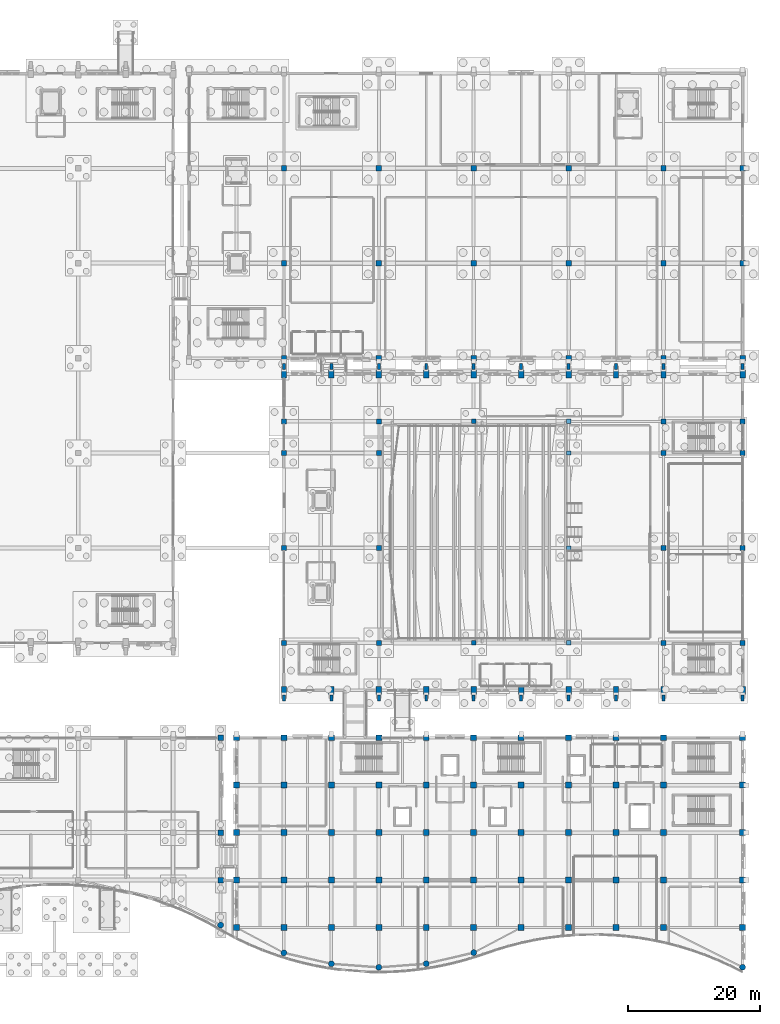
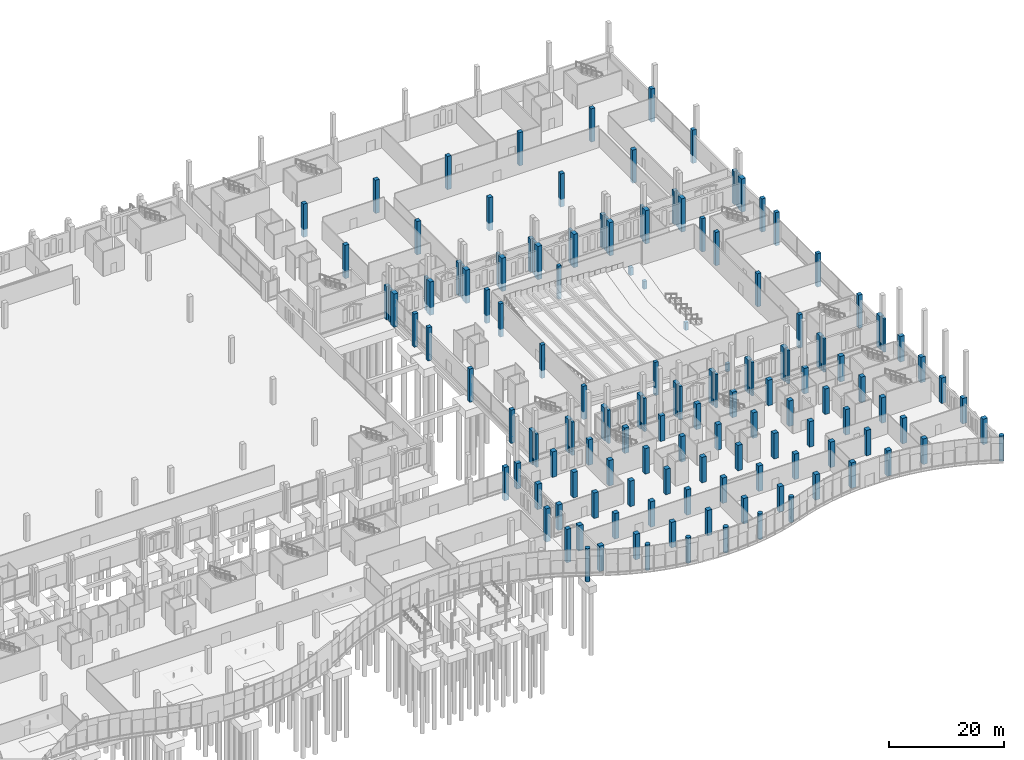
# One storey, part 18 of 192: 145 columns.
"""IFC4 building model written with IfcOpenShell, lengths in metres."""

from ifc_helpers import new_model, si_unit, direction, frame, origin, origin_2d, place, context, subcontext, project, spatial, rectangle, circle, extrude, material, material_profile, profile_set, type_object, element, save


model = new_model("IFC4")

# Units and contexts
model_context = context("Model", 3, precision=1e-05, world=origin(), true_north=direction((0.0, 1.0)))
body_context = subcontext(model_context, "Body", "Model", "MODEL_VIEW")
ifc_project = project(units=[si_unit("LENGTHUNIT", "METRE"), si_unit("AREAUNIT", "SQUARE_METRE"), si_unit("VOLUMEUNIT", "CUBIC_METRE"), si_unit("PLANEANGLEUNIT", "RADIAN"), si_unit("MASSUNIT", "GRAM", prefix="KILO")], contexts=[model_context])

# Site, building, storey
site_placement = place(None, origin())
site = spatial("IfcSite", under=ifc_project, at=site_placement, CompositionType="ELEMENT")
building_placement = place(site_placement, origin())
building = spatial("IfcBuilding", under=site, at=building_placement, Name="Cendralis Lancet Convention Centre", CompositionType="ELEMENT")
storey_placement = place(building_placement, origin())
storey = spatial("IfcBuildingStorey", under=building, at=storey_placement, Name="L00", CompositionType="ELEMENT", Elevation=0.0)

# Columns
ifc_material = material(Name="Concrete G40 (C40/50)", Category="concrete")
ifc_material_profile_1 = material_profile(ifc_material, rectangle(XDim=0.89990234375, YDim=0.89990234375, at=origin_2d()), Name="RC 900x900")
ifc_profile_set_1 = profile_set([ifc_material_profile_1], Name="Concrete G40 (C40/50)")
column_type_1 = type_object("IfcColumnType", Name="STR-COL-C03", PredefinedType="COLUMN", material=ifc_profile_set_1)
for number, where, z_axis, x_axis, name in (
    (1, (132.0, 7.199951171875, 0.0), (0.0, 0.0, 1.0), (1.0, 0.0, 0.0), "L00 Column C03 at 132.0,7.2"),
    (2, (132.0, 14.39990234375, 0.0), (0.0, 0.0, 1.0), (1.0, 0.0, 0.0), "L00 Column C03 at 132.0,14.4"),
    (3, (132.0, 21.60009765625, 0.0), (0.0, 0.0, 1.0), (1.0, 0.0, 0.0), "L00 Column C03 at 132.0,21.6"),
    (4, (132.0, 28.800048828125, 0.0), (0.0, 0.0, 1.0), (1.0, 0.0, 0.0), "L00 Column C03 at 132.0,28.8"),
    (5, (132.0, 36.0, 0.0), (0.0, 0.0, 1.0), (1.0, 0.0, 0.0), "L00 Column C03 at 132.0,36.0"),
    (6, (139.199951171875, 36.0, 0.0), (0.0, 0.0, 1.0), (1.0, 0.0, 0.0), "L00 Column C03 at 139.2,36.0"),
    (7, (146.39990234375, 36.0, 0.0), (0.0, 0.0, 1.0), (1.0, 0.0, 0.0), "L00 Column C03 at 146.4,36.0"),
    (8, (153.60009765625, 36.0, 0.0), (0.0, 0.0, 1.0), (1.0, 0.0, 0.0), "L00 Column C03 at 153.6,36.0"),
    (9, (160.800048828125, 36.0, 0.0), (0.0, 0.0, 1.0), (1.0, 0.0, 0.0), "L00 Column C03 at 160.8,36.0"),
    (10, (168.0, 36.0, 0.0), (0.0, 0.0, 1.0), (1.0, 0.0, 0.0), "L00 Column C03 at 168.0,36.0"),
    (11, (175.199951171875, 36.0, 0.0), (0.0, 0.0, 1.0), (1.0, 0.0, 0.0), "L00 Column C03 at 175.2,36.0"),
    (12, (182.39990234375, 36.0, 0.0), (0.0, 0.0, 1.0), (1.0, 0.0, 0.0), "L00 Column C03 at 182.4,36.0"),
    (13, (189.60009765625, 36.0, 0.0), (0.0, 0.0, 1.0), (1.0, 0.0, 0.0), "L00 Column C03 at 189.6,36.0"),
    (14, (196.800048828125, 36.0, 0.0), (0.0, 0.0, 1.0), (1.0, 0.0, 0.0), "L00 Column C03 at 196.8,36.0"),
    (15, (208.800048828125, 7.199951171875, 0.0), (0.0, 0.0, 1.0), (1.0, 0.0, 0.0), "L00 Column C03 at 208.8,7.2"),
    (16, (208.800048828125, 14.39990234375, 0.0), (0.0, 0.0, 1.0), (1.0, 0.0, 0.0), "L00 Column C03 at 208.8,14.4"),
    (17, (208.800048828125, 21.60009765625, 0.0), (0.0, 0.0, 1.0), (1.0, 0.0, 0.0), "L00 Column C03 at 208.8,21.6"),
    (18, (208.800048828125, 28.800048828125, 0.0), (0.0, 0.0, 1.0), (1.0, 0.0, 0.0), "L00 Column C03 at 208.8,28.8"),
    (19, (208.800048828125, 36.0, 0.0), (0.0, 0.0, 1.0), (1.0, 0.0, 0.0), "L00 Column C03 at 208.8,36.0"),
):
    element("IfcColumn", number, at=place(storey_placement, frame(where, z_axis=z_axis, x_axis=x_axis)), inside=storey, type_object=column_type_1, Name=name, PredefinedType="COLUMN", context=body_context, shape_type="SweptSolid", body=[
        extrude(rectangle(XDim=0.89990234375, YDim=0.89990234375, at=origin_2d()), origin(), (0.0, 0.0, 1.0), 5.39990234375),
    ])
ifc_material_profile_2 = material_profile(ifc_material, rectangle(XDim=0.89990234375, YDim=0.89990234375, at=origin_2d()), Name="RC 900x900")
ifc_profile_set_2 = profile_set([ifc_material_profile_2], Name="Concrete G40 (C40/50)")
column_type_2 = type_object("IfcColumnType", Name="STR-COL-C03-INT", PredefinedType="COLUMN", material=ifc_profile_set_2)
for number, where, z_axis, x_axis, name in (
    (20, (139.199951171875, 7.199951171875, 0.0), (0.0, 0.0, 1.0), (1.0, 0.0, 0.0), "L00 Column C03 at 139.2,7.2"),
    (21, (139.199951171875, 14.39990234375, 0.0), (0.0, 0.0, 1.0), (1.0, 0.0, 0.0), "L00 Column C03 at 139.2,14.4"),
    (22, (139.199951171875, 21.60009765625, 0.0), (0.0, 0.0, 1.0), (1.0, 0.0, 0.0), "L00 Column C03 at 139.2,21.6"),
    (23, (139.199951171875, 28.800048828125, 0.0), (0.0, 0.0, 1.0), (1.0, 0.0, 0.0), "L00 Column C03 at 139.2,28.8"),
    (24, (146.39990234375, 7.199951171875, 0.0), (0.0, 0.0, 1.0), (1.0, 0.0, 0.0), "L00 Column C03 at 146.4,7.2"),
    (25, (146.39990234375, 14.39990234375, 0.0), (0.0, 0.0, 1.0), (1.0, 0.0, 0.0), "L00 Column C03 at 146.4,14.4"),
    (26, (146.39990234375, 21.60009765625, 0.0), (0.0, 0.0, 1.0), (1.0, 0.0, 0.0), "L00 Column C03 at 146.4,21.6"),
    (27, (146.39990234375, 28.800048828125, 0.0), (0.0, 0.0, 1.0), (1.0, 0.0, 0.0), "L00 Column C03 at 146.4,28.8"),
    (28, (153.60009765625, 7.199951171875, 0.0), (0.0, 0.0, 1.0), (1.0, 0.0, 0.0), "L00 Column C03 at 153.6,7.2"),
    (29, (153.60009765625, 14.39990234375, 0.0), (0.0, 0.0, 1.0), (1.0, 0.0, 0.0), "L00 Column C03 at 153.6,14.4"),
    (30, (153.60009765625, 21.60009765625, 0.0), (0.0, 0.0, 1.0), (1.0, 0.0, 0.0), "L00 Column C03 at 153.6,21.6"),
    (31, (153.60009765625, 28.800048828125, 0.0), (0.0, 0.0, 1.0), (1.0, 0.0, 0.0), "L00 Column C03 at 153.6,28.8"),
    (32, (160.800048828125, 7.199951171875, 0.0), (0.0, 0.0, 1.0), (1.0, 0.0, 0.0), "L00 Column C03 at 160.8,7.2"),
    (33, (160.800048828125, 14.39990234375, 0.0), (0.0, 0.0, 1.0), (1.0, 0.0, 0.0), "L00 Column C03 at 160.8,14.4"),
    (34, (160.800048828125, 21.60009765625, 0.0), (0.0, 0.0, 1.0), (1.0, 0.0, 0.0), "L00 Column C03 at 160.8,21.6"),
    (35, (160.800048828125, 28.800048828125, 0.0), (0.0, 0.0, 1.0), (1.0, 0.0, 0.0), "L00 Column C03 at 160.8,28.8"),
    (36, (168.0, 7.199951171875, 0.0), (0.0, 0.0, 1.0), (1.0, 0.0, 0.0), "L00 Column C03 at 168.0,7.2"),
    (37, (168.0, 14.39990234375, 0.0), (0.0, 0.0, 1.0), (1.0, 0.0, 0.0), "L00 Column C03 at 168.0,14.4"),
    (38, (168.0, 21.60009765625, 0.0), (0.0, 0.0, 1.0), (1.0, 0.0, 0.0), "L00 Column C03 at 168.0,21.6"),
    (39, (168.0, 28.800048828125, 0.0), (0.0, 0.0, 1.0), (1.0, 0.0, 0.0), "L00 Column C03 at 168.0,28.8"),
    (40, (175.199951171875, 7.199951171875, 0.0), (0.0, 0.0, 1.0), (1.0, 0.0, 0.0), "L00 Column C03 at 175.2,7.2"),
    (41, (175.199951171875, 14.39990234375, 0.0), (0.0, 0.0, 1.0), (1.0, 0.0, 0.0), "L00 Column C03 at 175.2,14.4"),
    (42, (175.199951171875, 21.60009765625, 0.0), (0.0, 0.0, 1.0), (1.0, 0.0, 0.0), "L00 Column C03 at 175.2,21.6"),
    (43, (175.199951171875, 28.800048828125, 0.0), (0.0, 0.0, 1.0), (1.0, 0.0, 0.0), "L00 Column C03 at 175.2,28.8"),
    (44, (182.39990234375, 7.199951171875, 0.0), (0.0, 0.0, 1.0), (1.0, 0.0, 0.0), "L00 Column C03 at 182.4,7.2"),
    (45, (182.39990234375, 14.39990234375, 0.0), (0.0, 0.0, 1.0), (1.0, 0.0, 0.0), "L00 Column C03 at 182.4,14.4"),
    (46, (182.39990234375, 21.60009765625, 0.0), (0.0, 0.0, 1.0), (1.0, 0.0, 0.0), "L00 Column C03 at 182.4,21.6"),
    (47, (182.39990234375, 28.800048828125, 0.0), (0.0, 0.0, 1.0), (1.0, 0.0, 0.0), "L00 Column C03 at 182.4,28.8"),
    (48, (189.60009765625, 7.199951171875, 0.0), (0.0, 0.0, 1.0), (1.0, 0.0, 0.0), "L00 Column C03 at 189.6,7.2"),
    (49, (189.60009765625, 14.39990234375, 0.0), (0.0, 0.0, 1.0), (1.0, 0.0, 0.0), "L00 Column C03 at 189.6,14.4"),
    (50, (189.60009765625, 21.60009765625, 0.0), (0.0, 0.0, 1.0), (1.0, 0.0, 0.0), "L00 Column C03 at 189.6,21.6"),
    (51, (189.60009765625, 28.800048828125, 0.0), (0.0, 0.0, 1.0), (1.0, 0.0, 0.0), "L00 Column C03 at 189.6,28.8"),
    (52, (196.800048828125, 7.199951171875, 0.0), (0.0, 0.0, 1.0), (1.0, 0.0, 0.0), "L00 Column C03 at 196.8,7.2"),
    (53, (196.800048828125, 14.39990234375, 0.0), (0.0, 0.0, 1.0), (1.0, 0.0, 0.0), "L00 Column C03 at 196.8,14.4"),
    (54, (196.800048828125, 21.60009765625, 0.0), (0.0, 0.0, 1.0), (1.0, 0.0, 0.0), "L00 Column C03 at 196.8,21.6"),
    (55, (196.800048828125, 28.800048828125, 0.0), (0.0, 0.0, 1.0), (1.0, 0.0, 0.0), "L00 Column C03 at 196.8,28.8"),
):
    element("IfcColumn", number, at=place(storey_placement, frame(where, z_axis=z_axis, x_axis=x_axis)), inside=storey, type_object=column_type_2, Name=name, PredefinedType="COLUMN", context=body_context, shape_type="SweptSolid", body=[
        extrude(rectangle(XDim=0.89990234375, YDim=0.89990234375, at=origin_2d()), origin(), (0.0, 0.0, 1.0), 5.39990234375),
    ])
ifc_material_profile_3 = material_profile(ifc_material, rectangle(XDim=0.85009765625, YDim=0.85009765625, at=origin_2d()), Name="RC 850x850")
ifc_profile_set_3 = profile_set([ifc_material_profile_3], Name="Concrete G40 (C40/50)")
column_type_3 = type_object("IfcColumnType", Name="STR-COL-C04", PredefinedType="COLUMN", material=ifc_profile_set_3)
for number, where, z_axis, x_axis, name in (
    (56, (129.60009765625, 14.39990234375, -1.64990234375), (0.0, 0.0, 1.0), (1.0, 0.0, 0.0), "L00 Column C04 at 129.6,14.4"),
    (57, (129.60009765625, 21.60009765625, -1.64990234375), (0.0, 0.0, 1.0), (1.0, 0.0, 0.0), "L00 Column C04 at 129.6,21.6"),
    (58, (129.60009765625, 36.0, -1.64990234375), (0.0, 0.0, 1.0), (1.0, 0.0, 0.0), "L00 Column C04 at 129.6,36.0"),
):
    element("IfcColumn", number, at=place(storey_placement, frame(where, z_axis=z_axis, x_axis=x_axis)), inside=storey, type_object=column_type_3, Name=name, PredefinedType="COLUMN", context=body_context, shape_type="SweptSolid", body=[
        extrude(rectangle(XDim=0.85009765625, YDim=0.85009765625, at=origin_2d()), origin(), (0.0, 0.0, 1.0), 7.0498046875),
    ])
ifc_material_profile_4 = material_profile(ifc_material, rectangle(XDim=0.800048828125, YDim=0.800048828125, at=origin_2d()), Name="RC 800x800")
ifc_profile_set_4 = profile_set([ifc_material_profile_4], Name="Concrete G40 (C40/50)")
column_type_4 = type_object("IfcColumnType", Name="STR-COL-C05", PredefinedType="COLUMN", material=ifc_profile_set_4)
for number, where, z_axis, x_axis, name in (
    (59, (139.199951171875, 93.60009765625, -1.64990234375), (0.0, 0.0, 1.0), (1.0, 0.0, 0.0), "L00 Column C05 at 139.2,93.6"),
    (60, (153.60009765625, 93.60009765625, -1.64990234375), (0.0, 0.0, 1.0), (1.0, 0.0, 0.0), "L00 Column C05 at 153.6,93.6"),
    (61, (168.0, 93.60009765625, -1.64990234375), (0.0, 0.0, 1.0), (1.0, 0.0, 0.0), "L00 Column C05 at 168.0,93.6"),
    (62, (182.39990234375, 93.60009765625, -1.64990234375), (0.0, 0.0, 1.0), (1.0, 0.0, 0.0), "L00 Column C05 at 182.4,93.6"),
    (63, (196.800048828125, 93.60009765625, -1.64990234375), (0.0, 0.0, 1.0), (1.0, 0.0, 0.0), "L00 Column C05 at 196.8,93.6"),
    (64, (208.800048828125, 93.60009765625, -1.64990234375), (0.0, 0.0, 1.0), (1.0, 0.0, 0.0), "L00 Column C05 at 208.8,93.6"),
    (65, (208.800048828125, 108.0, -1.64990234375), (0.0, 0.0, 1.0), (1.0, 0.0, 0.0), "L00 Column C05 at 208.8,108.0"),
    (66, (208.800048828125, 122.39990234375, -1.64990234375), (0.0, 0.0, 1.0), (1.0, 0.0, 0.0), "L00 Column C05 at 208.8,122.4"),
):
    element("IfcColumn", number, at=place(storey_placement, frame(where, z_axis=z_axis, x_axis=x_axis)), inside=storey, type_object=column_type_4, Name=name, PredefinedType="COLUMN", context=body_context, shape_type="SweptSolid", body=[
        extrude(rectangle(XDim=0.800048828125, YDim=0.800048828125, at=origin_2d()), origin(), (0.0, 0.0, 1.0), 7.0498046875),
    ])
ifc_material_profile_5 = material_profile(ifc_material, rectangle(XDim=0.800048828125, YDim=0.800048828125, at=origin_2d()), Name="RC 800x800")
ifc_profile_set_5 = profile_set([ifc_material_profile_5], Name="Concrete G40 (C40/50)")
column_type_5 = type_object("IfcColumnType", Name="STR-COL-C05-INT", PredefinedType="COLUMN", material=ifc_profile_set_5)
for number, where, z_axis, x_axis, name in (
    (67, (139.199951171875, 108.0, -1.64990234375), (0.0, 0.0, 1.0), (1.0, 0.0, 0.0), "L00 Column C05 at 139.2,108.0"),
    (68, (139.199951171875, 122.39990234375, -1.64990234375), (0.0, 0.0, 1.0), (1.0, 0.0, 0.0), "L00 Column C05 at 139.2,122.4"),
    (69, (153.60009765625, 108.0, -1.64990234375), (0.0, 0.0, 1.0), (1.0, 0.0, 0.0), "L00 Column C05 at 153.6,108.0"),
    (70, (153.60009765625, 122.39990234375, -1.64990234375), (0.0, 0.0, 1.0), (1.0, 0.0, 0.0), "L00 Column C05 at 153.6,122.4"),
    (71, (168.0, 108.0, -1.64990234375), (0.0, 0.0, 1.0), (1.0, 0.0, 0.0), "L00 Column C05 at 168.0,108.0"),
    (72, (168.0, 122.39990234375, -1.64990234375), (0.0, 0.0, 1.0), (1.0, 0.0, 0.0), "L00 Column C05 at 168.0,122.4"),
    (73, (182.39990234375, 108.0, -1.64990234375), (0.0, 0.0, 1.0), (1.0, 0.0, 0.0), "L00 Column C05 at 182.4,108.0"),
    (74, (182.39990234375, 122.39990234375, -1.64990234375), (0.0, 0.0, 1.0), (1.0, 0.0, 0.0), "L00 Column C05 at 182.4,122.4"),
    (75, (196.800048828125, 108.0, -1.64990234375), (0.0, 0.0, 1.0), (1.0, 0.0, 0.0), "L00 Column C05 at 196.8,108.0"),
    (76, (196.800048828125, 122.39990234375, -1.64990234375), (0.0, 0.0, 1.0), (1.0, 0.0, 0.0), "L00 Column C05 at 196.8,122.4"),
):
    element("IfcColumn", number, at=place(storey_placement, frame(where, z_axis=z_axis, x_axis=x_axis)), inside=storey, type_object=column_type_5, Name=name, PredefinedType="COLUMN", context=body_context, shape_type="SweptSolid", body=[
        extrude(rectangle(XDim=0.800048828125, YDim=0.800048828125, at=origin_2d()), origin(), (0.0, 0.0, 1.0), 7.0498046875),
    ])
ifc_material_profile_6 = material_profile(ifc_material, rectangle(XDim=0.75, YDim=0.75, at=origin_2d()), Name="RC 750x750")
ifc_profile_set_6 = profile_set([ifc_material_profile_6], Name="Concrete G40 (C40/50)")
column_type_6 = type_object("IfcColumnType", Name="STR-COL-C06", PredefinedType="COLUMN", material=ifc_profile_set_6)
for number, where, z_axis, x_axis, name in (
    (77, (139.199951171875, 50.39990234375, -1.64990234375), (0.0, 0.0, 1.0), (1.0, 0.0, 0.0), "L00 Column C06 at 139.2,50.4"),
    (78, (139.199951171875, 64.800048828125, -1.64990234375), (0.0, 0.0, 1.0), (1.0, 0.0, 0.0), "L00 Column C06 at 139.2,64.8"),
    (79, (139.199951171875, 79.199951171875, -1.64990234375), (0.0, 0.0, 1.0), (1.0, 0.0, 0.0), "L00 Column C06 at 139.2,79.2"),
    (80, (139.199951171875, 84.0, -1.64990234375), (0.0, 0.0, 1.0), (1.0, 0.0, 0.0), "L00 Column C06 at 139.2,84.0"),
    (81, (208.800048828125, 50.39990234375, -1.64990234375), (0.0, 0.0, 1.0), (1.0, 0.0, 0.0), "L00 Column C06 at 208.8,50.4"),
    (82, (208.800048828125, 64.800048828125, -1.64990234375), (0.0, 0.0, 1.0), (1.0, 0.0, 0.0), "L00 Column C06 at 208.8,64.8"),
    (83, (208.800048828125, 79.199951171875, -1.64990234375), (0.0, 0.0, 1.0), (1.0, 0.0, 0.0), "L00 Column C06 at 208.8,79.2"),
    (84, (208.800048828125, 84.0, -1.64990234375), (0.0, 0.0, 1.0), (1.0, 0.0, 0.0), "L00 Column C06 at 208.8,84.0"),
):
    element("IfcColumn", number, at=place(storey_placement, frame(where, z_axis=z_axis, x_axis=x_axis)), inside=storey, type_object=column_type_6, Name=name, PredefinedType="COLUMN", context=body_context, shape_type="SweptSolid", body=[
        extrude(rectangle(XDim=0.75, YDim=0.75, at=origin_2d()), origin(), (0.0, 0.0, 1.0), 7.0498046875),
    ])
ifc_material_profile_7 = material_profile(ifc_material, rectangle(XDim=0.75, YDim=0.75, at=origin_2d()), Name="RC 750x750")
ifc_profile_set_7 = profile_set([ifc_material_profile_7], Name="Concrete G40 (C40/50)")
column_type_7 = type_object("IfcColumnType", Name="STR-COL-C06-INT", PredefinedType="COLUMN", material=ifc_profile_set_7)
for number, where, z_axis, x_axis, name in (
    (85, (153.60009765625, 50.39990234375, -1.64990234375), (0.0, 0.0, 1.0), (1.0, 0.0, 0.0), "L00 Column C06 at 153.6,50.4"),
    (86, (153.60009765625, 64.800048828125, -1.64990234375), (0.0, 0.0, 1.0), (1.0, 0.0, 0.0), "L00 Column C06 at 153.6,64.8"),
    (87, (153.60009765625, 79.199951171875, -1.64990234375), (0.0, 0.0, 1.0), (1.0, 0.0, 0.0), "L00 Column C06 at 153.6,79.2"),
    (88, (153.60009765625, 84.0, -1.64990234375), (0.0, 0.0, 1.0), (1.0, 0.0, 0.0), "L00 Column C06 at 153.6,84.0"),
    (89, (196.800048828125, 50.39990234375, -1.64990234375), (0.0, 0.0, 1.0), (1.0, 0.0, 0.0), "L00 Column C06 at 196.8,50.4"),
    (90, (196.800048828125, 64.800048828125, -1.64990234375), (0.0, 0.0, 1.0), (1.0, 0.0, 0.0), "L00 Column C06 at 196.8,64.8"),
    (91, (196.800048828125, 79.199951171875, -1.64990234375), (0.0, 0.0, 1.0), (1.0, 0.0, 0.0), "L00 Column C06 at 196.8,79.2"),
    (92, (196.800048828125, 84.0, -1.64990234375), (0.0, 0.0, 1.0), (1.0, 0.0, 0.0), "L00 Column C06 at 196.8,84.0"),
):
    element("IfcColumn", number, at=place(storey_placement, frame(where, z_axis=z_axis, x_axis=x_axis)), inside=storey, type_object=column_type_7, Name=name, PredefinedType="COLUMN", context=body_context, shape_type="SweptSolid", body=[
        extrude(rectangle(XDim=0.75, YDim=0.75, at=origin_2d()), origin(), (0.0, 0.0, 1.0), 7.0498046875),
    ])
ifc_material_profile_8 = material_profile(ifc_material, rectangle(XDim=0.64990234375, YDim=0.64990234375, at=origin_2d()), Name="RC 650x650")
ifc_profile_set_8 = profile_set([ifc_material_profile_8], Name="Concrete G40 (C40/50)")
column_type_8 = type_object("IfcColumnType", Name="STR-COL-C08-INT", PredefinedType="COLUMN", material=ifc_profile_set_8)
for number, where, z_axis, x_axis, name in (
    (93, (182.39990234375, 50.39990234375, -1.64990234375), (0.0, 0.0, 1.0), (1.0, 0.0, 0.0), "L00 Column C08 at 182.4,50.4"),
    (94, (182.39990234375, 64.800048828125, -1.64990234375), (0.0, 0.0, 1.0), (1.0, 0.0, 0.0), "L00 Column C08 at 182.4,64.8"),
    (95, (182.39990234375, 79.199951171875, -1.64990234375), (0.0, 0.0, 1.0), (1.0, 0.0, 0.0), "L00 Column C08 at 182.4,79.2"),
    (96, (182.39990234375, 84.0, -1.64990234375), (0.0, 0.0, 1.0), (1.0, 0.0, 0.0), "L00 Column C08 at 182.4,84.0"),
):
    element("IfcColumn", number, at=place(storey_placement, frame(where, z_axis=z_axis, x_axis=x_axis)), inside=storey, type_object=column_type_8, Name=name, PredefinedType="COLUMN", context=body_context, shape_type="SweptSolid", body=[
        extrude(rectangle(XDim=0.64990234375, YDim=0.64990234375, at=origin_2d()), origin(), (0.0, 0.0, 1.0), 1.64990234375),
    ])
for number, where, z_axis, x_axis, name in (
    (97, (168.0, 50.39990234375, -1.64990234375), (0.0, 0.0, 1.0), (1.0, 0.0, 0.0), "L00 Column C08 at 168.0,50.4"),
    (98, (168.0, 84.0, -1.64990234375), (0.0, 0.0, 1.0), (1.0, 0.0, 0.0), "L00 Column C08 at 168.0,84.0"),
):
    element("IfcColumn", number, at=place(storey_placement, frame(where, z_axis=z_axis, x_axis=x_axis)), inside=storey, type_object=column_type_8, Name=name, PredefinedType="COLUMN", context=body_context, shape_type="SweptSolid", body=[
        extrude(rectangle(XDim=0.64990234375, YDim=0.64990234375, at=origin_2d()), origin(), (0.0, 0.0, 1.0), 7.0498046875),
    ])
ifc_material_profile_9 = material_profile(ifc_material, rectangle(XDim=0.800048828125, YDim=1.199951171875, at=origin_2d()), Name="RC 800x1200")
ifc_profile_set_9 = profile_set([ifc_material_profile_9], Name="Concrete G40 (C40/50)")
column_type_9 = type_object("IfcColumnType", Name="STR-COL-C15", PredefinedType="COLUMN", material=ifc_profile_set_9)
for number, where, z_axis, x_axis, name in (
    (99, (139.199951171875, 43.199951171875, -1.64990234375), (0.0, 0.0, 1.0), (1.0, 0.0, 0.0), "L00 Column C15 at 139.2,43.2"),
    (100, (139.199951171875, 91.199951171875, -1.64990234375), (0.0, 0.0, 1.0), (1.0, 0.0, 0.0), "L00 Column C15 at 139.2,91.2"),
    (101, (146.39990234375, 43.199951171875, -1.64990234375), (0.0, 0.0, 1.0), (1.0, 0.0, 0.0), "L00 Column C15 at 146.4,43.2"),
    (102, (146.39990234375, 91.199951171875, -1.64990234375), (0.0, 0.0, 1.0), (1.0, 0.0, 0.0), "L00 Column C15 at 146.4,91.2"),
    (103, (153.60009765625, 43.199951171875, -1.64990234375), (0.0, 0.0, 1.0), (1.0, 0.0, 0.0), "L00 Column C15 at 153.6,43.2"),
    (104, (153.60009765625, 91.199951171875, -1.64990234375), (0.0, 0.0, 1.0), (1.0, 0.0, 0.0), "L00 Column C15 at 153.6,91.2"),
    (105, (160.800048828125, 43.199951171875, -1.64990234375), (0.0, 0.0, 1.0), (1.0, 0.0, 0.0), "L00 Column C15 at 160.8,43.2"),
    (106, (160.800048828125, 91.199951171875, -1.64990234375), (0.0, 0.0, 1.0), (1.0, 0.0, 0.0), "L00 Column C15 at 160.8,91.2"),
    (107, (168.0, 43.199951171875, -1.64990234375), (0.0, 0.0, 1.0), (1.0, 0.0, 0.0), "L00 Column C15 at 168.0,43.2"),
    (108, (168.0, 91.199951171875, -1.64990234375), (0.0, 0.0, 1.0), (1.0, 0.0, 0.0), "L00 Column C15 at 168.0,91.2"),
    (109, (175.199951171875, 43.199951171875, -1.64990234375), (0.0, 0.0, 1.0), (1.0, 0.0, 0.0), "L00 Column C15 at 175.2,43.2"),
    (110, (175.199951171875, 91.199951171875, -1.64990234375), (0.0, 0.0, 1.0), (1.0, 0.0, 0.0), "L00 Column C15 at 175.2,91.2"),
    (111, (182.39990234375, 43.199951171875, -1.64990234375), (0.0, 0.0, 1.0), (1.0, 0.0, 0.0), "L00 Column C15 at 182.4,43.2"),
    (112, (182.39990234375, 91.199951171875, -1.64990234375), (0.0, 0.0, 1.0), (1.0, 0.0, 0.0), "L00 Column C15 at 182.4,91.2"),
    (113, (189.60009765625, 43.199951171875, -1.64990234375), (0.0, 0.0, 1.0), (1.0, 0.0, 0.0), "L00 Column C15 at 189.6,43.2"),
    (114, (189.60009765625, 91.199951171875, -1.64990234375), (0.0, 0.0, 1.0), (1.0, 0.0, 0.0), "L00 Column C15 at 189.6,91.2"),
    (115, (196.800048828125, 43.199951171875, -1.64990234375), (0.0, 0.0, 1.0), (1.0, 0.0, 0.0), "L00 Column C15 at 196.8,43.2"),
    (116, (196.800048828125, 91.199951171875, -1.64990234375), (0.0, 0.0, 1.0), (1.0, 0.0, 0.0), "L00 Column C15 at 196.8,91.2"),
    (117, (208.800048828125, 43.199951171875, -1.64990234375), (0.0, 0.0, 1.0), (1.0, 0.0, 0.0), "L00 Column C15 at 208.8,43.2"),
    (118, (208.800048828125, 91.199951171875, -1.64990234375), (0.0, 0.0, 1.0), (1.0, 0.0, 0.0), "L00 Column C15 at 208.8,91.2"),
):
    element("IfcColumn", number, at=place(storey_placement, frame(where, z_axis=z_axis, x_axis=x_axis)), inside=storey, type_object=column_type_9, Name=name, PredefinedType="COLUMN", context=body_context, shape_type="SweptSolid", body=[
        extrude(rectangle(XDim=0.800048828125, YDim=1.199951171875, at=origin_2d()), origin(), (0.0, 0.0, 1.0), 7.0498046875),
    ])
ifc_material_profile_10 = material_profile(ifc_material, circle(Radius=0.449951171875, at=origin_2d()), Name="RC D900")
ifc_profile_set_10 = profile_set([ifc_material_profile_10], Name="Concrete G40 (C40/50)")
column_type_10 = type_object("IfcColumnType", Name="STR-COL-C16", PredefinedType="COLUMN", material=ifc_profile_set_10)
for number, where, z_axis, x_axis, name in (
    (119, (139.199951171875, 3.36572265625, 0.0), (0.0, 0.0, 1.0), (1.0, 0.0, 0.0), "L00 Column C16 at 139.2,3.4"),
    (120, (146.39990234375, 1.705810546875, 0.0), (0.0, 0.0, 1.0), (1.0, 0.0, 0.0), "L00 Column C16 at 146.4,1.7"),
    (121, (153.60009765625, 1.169921875, 0.0), (0.0, 0.0, 1.0), (1.0, 0.0, 0.0), "L00 Column C16 at 153.6,1.2"),
    (122, (160.800048828125, 1.720458984375, 0.0), (0.0, 0.0, 1.0), (1.0, 0.0, 0.0), "L00 Column C16 at 160.8,1.7"),
    (123, (168.0, 3.396240234375, 0.0), (0.0, 0.0, 1.0), (1.0, 0.0, 0.0), "L00 Column C16 at 168.0,3.4"),
    (124, (208.800048828125, 1.183837890625, 0.0), (0.0, 0.0, 1.0), (1.0, 0.0, 0.0), "L00 Column C16 at 208.8,1.2"),
):
    element("IfcColumn", number, at=place(storey_placement, frame(where, z_axis=z_axis, x_axis=x_axis)), inside=storey, type_object=column_type_10, Name=name, PredefinedType="COLUMN", context=body_context, shape_type="SweptSolid", body=[
        extrude(circle(Radius=0.449951171875, at=origin_2d()), origin(), (0.0, 0.0, 1.0), 5.39990234375),
    ])
column_placement = place(storey_placement, frame((129.60009765625, 7.57275390625, -1.64990234375), z_axis=(0.0, 0.0, 1.0), x_axis=(1.0, 0.0, 0.0)))
element("IfcColumn", 125, at=column_placement, inside=storey, type_object=column_type_10, Name="L00 Column C16 at 129.6,7.6", PredefinedType="COLUMN", context=body_context, shape_type="SweptSolid", body=[
    extrude(circle(Radius=0.449951171875, at=origin_2d()), origin(), (0.0, 0.0, 1.0), 7.0498046875),
])
ifc_material_profile_11 = material_profile(ifc_material, rectangle(XDim=0.449951171875, YDim=0.89990234375, at=origin_2d()), Name="RC 450x900")
ifc_profile_set_11 = profile_set([ifc_material_profile_11], Name="Concrete G40 (C40/50)")
column_type_11 = type_object("IfcColumnType", Name="STR-PIL-PL02", PredefinedType="PILASTER", material=ifc_profile_set_11)
for number, where, z_axis, x_axis, name in (
    (126, (139.199951171875, 42.0400390625, -1.64990234375), (0.0, 0.0, 1.0), (1.0, 0.0, 0.0), "L00 Column PL02 at 139.2,42.0"),
    (127, (139.199951171875, 92.360107421875, -1.64990234375), (0.0, 0.0, 1.0), (1.0, 0.0, 0.0), "L00 Column PL02 at 139.2,92.4"),
    (128, (146.39990234375, 42.0400390625, -1.64990234375), (0.0, 0.0, 1.0), (1.0, 0.0, 0.0), "L00 Column PL02 at 146.4,42.0"),
    (129, (146.39990234375, 92.360107421875, -1.64990234375), (0.0, 0.0, 1.0), (1.0, 0.0, 0.0), "L00 Column PL02 at 146.4,92.4"),
    (130, (153.60009765625, 42.0400390625, -1.64990234375), (0.0, 0.0, 1.0), (1.0, 0.0, 0.0), "L00 Column PL02 at 153.6,42.0"),
    (131, (153.60009765625, 92.360107421875, -1.64990234375), (0.0, 0.0, 1.0), (1.0, 0.0, 0.0), "L00 Column PL02 at 153.6,92.4"),
    (132, (160.800048828125, 42.0400390625, -1.64990234375), (0.0, 0.0, 1.0), (1.0, 0.0, 0.0), "L00 Column PL02 at 160.8,42.0"),
    (133, (160.800048828125, 92.360107421875, -1.64990234375), (0.0, 0.0, 1.0), (1.0, 0.0, 0.0), "L00 Column PL02 at 160.8,92.4"),
    (134, (168.0, 42.0400390625, -1.64990234375), (0.0, 0.0, 1.0), (1.0, 0.0, 0.0), "L00 Column PL02 at 168.0,42.0"),
    (135, (168.0, 92.360107421875, -1.64990234375), (0.0, 0.0, 1.0), (1.0, 0.0, 0.0), "L00 Column PL02 at 168.0,92.4"),
    (136, (175.199951171875, 42.0400390625, -1.64990234375), (0.0, 0.0, 1.0), (1.0, 0.0, 0.0), "L00 Column PL02 at 175.2,42.0"),
    (137, (175.199951171875, 92.360107421875, -1.64990234375), (0.0, 0.0, 1.0), (1.0, 0.0, 0.0), "L00 Column PL02 at 175.2,92.4"),
    (138, (182.39990234375, 42.0400390625, -1.64990234375), (0.0, 0.0, 1.0), (1.0, 0.0, 0.0), "L00 Column PL02 at 182.4,42.0"),
    (139, (182.39990234375, 92.360107421875, -1.64990234375), (0.0, 0.0, 1.0), (1.0, 0.0, 0.0), "L00 Column PL02 at 182.4,92.4"),
    (140, (189.60009765625, 42.0400390625, -1.64990234375), (0.0, 0.0, 1.0), (1.0, 0.0, 0.0), "L00 Column PL02 at 189.6,42.0"),
    (141, (189.60009765625, 92.360107421875, -1.64990234375), (0.0, 0.0, 1.0), (1.0, 0.0, 0.0), "L00 Column PL02 at 189.6,92.4"),
    (142, (196.800048828125, 42.0400390625, -1.64990234375), (0.0, 0.0, 1.0), (1.0, 0.0, 0.0), "L00 Column PL02 at 196.8,42.0"),
    (143, (196.800048828125, 92.360107421875, -1.64990234375), (0.0, 0.0, 1.0), (1.0, 0.0, 0.0), "L00 Column PL02 at 196.8,92.4"),
    (144, (208.800048828125, 42.0400390625, -1.64990234375), (0.0, 0.0, 1.0), (1.0, 0.0, 0.0), "L00 Column PL02 at 208.8,42.0"),
    (145, (208.800048828125, 92.360107421875, -1.64990234375), (0.0, 0.0, 1.0), (1.0, 0.0, 0.0), "L00 Column PL02 at 208.8,92.4"),
):
    element("IfcColumn", number, at=place(storey_placement, frame(where, z_axis=z_axis, x_axis=x_axis)), inside=storey, type_object=column_type_11, Name=name, PredefinedType="PILASTER", context=body_context, shape_type="SweptSolid", body=[
        extrude(rectangle(XDim=0.449951171875, YDim=0.89990234375, at=origin_2d()), origin(), (0.0, 0.0, 1.0), 7.0498046875),
    ])

save(model, "model.ifc")
